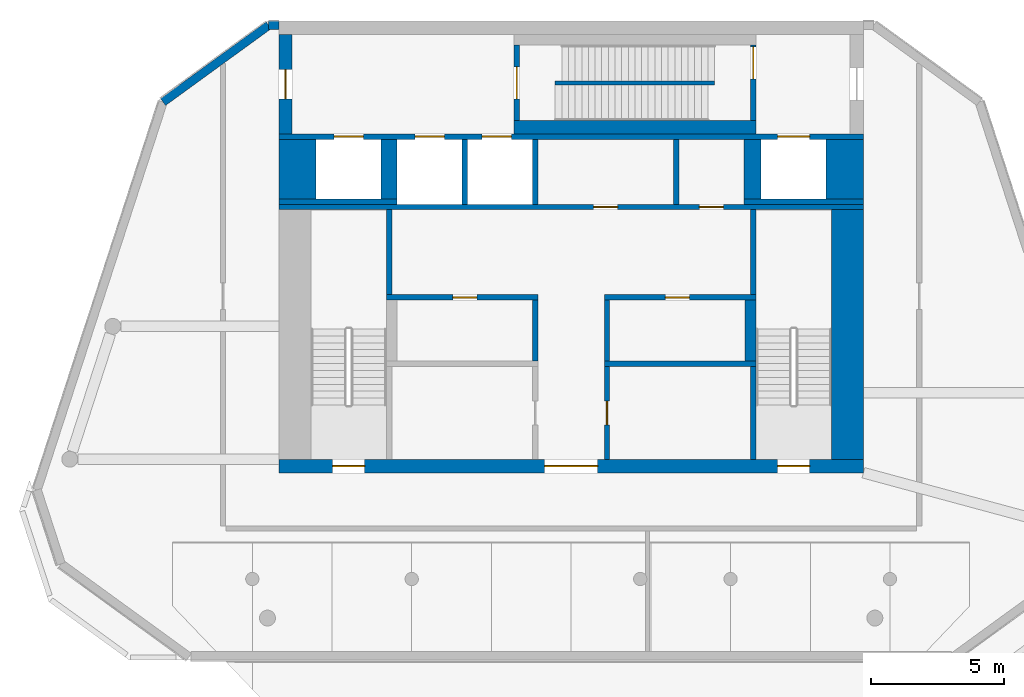
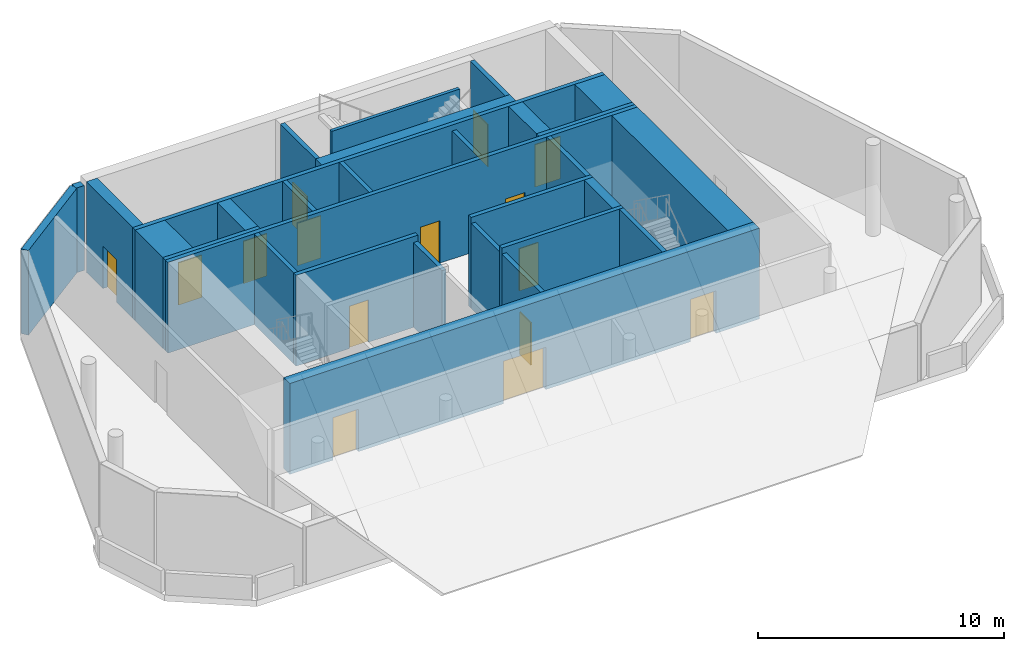
# One storey, part 2 of 6: 30 walls, 15 doors, 15 openings.
"""IFC4 building model written with IfcOpenShell, lengths in metres."""

from ifc_helpers import new_model, si_unit, direction, frame, frame_2d, origin, place, context, subcontext, project, spatial, rectangle, extrude, material, layer, layer_set, type_object, element, fill, save


model = new_model("IFC4")

# Units and contexts
model_context = context("Model", 3, precision=1e-05, world=origin(), true_north=direction((0.0, 1.0)))
body_context = subcontext(model_context, "Body", "Model", "MODEL_VIEW")
ifc_project = project(units=[si_unit("LENGTHUNIT", "METRE"), si_unit("AREAUNIT", "SQUARE_METRE"), si_unit("VOLUMEUNIT", "CUBIC_METRE"), si_unit("PLANEANGLEUNIT", "RADIAN"), si_unit("MASSUNIT", "GRAM", prefix="KILO")], contexts=[model_context])

# Site, building, storey
site_placement = place(None, origin())
site = spatial("IfcSite", under=ifc_project, at=site_placement, CompositionType="ELEMENT")
building_placement = place(site_placement, origin())
building = spatial("IfcBuilding", under=site, at=building_placement, Name="White Candle Pilgrim Tower", CompositionType="ELEMENT")
storey_placement = place(building_placement, frame((0.0, 0.0, 337.699951171875)))
storey = spatial("IfcBuildingStorey", under=building, at=storey_placement, Name="L79", CompositionType="ELEMENT", Elevation=337.699951171875)

# Walls
ifc_material_1 = material(Name="Concrete C40/50", Category="concrete")
ifc_layer_1 = layer(ifc_material_1, 1.39990234375)
ifc_layer_set_1 = layer_set([ifc_layer_1], Name="Core wall 1400 mm Concrete C40/50")
wall_type_1 = type_object("IfcWallType", Name="Core wall 1400 mm Concrete C40/50", PredefinedType="SHEAR", material=ifc_layer_set_1)
for number, where, z_axis, x_axis, name in (
    (1, (59.699951171875, 81.300048828125, 0.0), (0.0, 0.0, 1.0), (0.0, 1.0, 0.0), "WL-L79-C24"),
    (2, (80.300048828125, 81.300048828125, 0.0), (0.0, 0.0, 1.0), (0.0, 1.0, 0.0), "WL-L79-C27"),
):
    element("IfcWall", number, at=place(storey_placement, frame(where, z_axis=z_axis, x_axis=x_axis)), inside=storey, type_object=wall_type_1, Name=name, PredefinedType="SHEAR", context=body_context, shape_type="SweptSolid", body=[
        extrude(rectangle(XDim=2.25, YDim=1.39990234375, at=frame_2d((1.125, 0.0))), origin(), (0.0, 0.0, 1.0), 4.5),
    ])
ifc_layer_2 = layer(ifc_material_1, 0.199951171875)
ifc_layer_set_2 = layer_set([ifc_layer_2], Name="Core wall 200 mm Concrete C40/50")
wall_type_2 = type_object("IfcWallType", Name="Core wall 200 mm Concrete C40/50", PredefinedType="SHEAR", material=ifc_layer_set_2)
wall_1_placement = place(storey_placement, frame((59.0, 81.199951171875, 0.0), z_axis=(0.0, 0.0, 1.0), x_axis=(1.0, 0.0, 0.0)))
element("IfcWall", 3, at=wall_1_placement, inside=storey, type_object=wall_type_2, Name="WL-L79-C19", PredefinedType="SHEAR", context=body_context, shape_type="SweptSolid", body=[
    extrude(rectangle(XDim=4.449951171875, YDim=0.199951171875, at=frame_2d((2.22509765625, 0.0))), origin(), (0.0, 0.0, 1.0), 4.5),
])
wall_2_placement = place(storey_placement, frame((76.5, 81.199951171875, 0.0), z_axis=(0.0, 0.0, 1.0), x_axis=(1.0, 0.0, 0.0)))
element("IfcWall", 4, at=wall_2_placement, inside=storey, type_object=wall_type_2, Name="WL-L79-C23", PredefinedType="SHEAR", context=body_context, shape_type="SweptSolid", body=[
    extrude(rectangle(XDim=4.5, YDim=0.199951171875, at=frame_2d((2.25, 0.0))), origin(), (0.0, 0.0, 1.0), 4.5),
])

# Wall, openings, doors
wall_3_placement = place(storey_placement, frame((59.0, 83.64990234375, 0.0), z_axis=(0.0, 0.0, 1.0), x_axis=(1.0, 0.0, 0.0)))
wall_3 = element("IfcWall", 5, at=wall_3_placement, inside=storey, type_object=wall_type_2, Name="WL-L79-C28", PredefinedType="SHEAR", context=body_context, shape_type="SweptSolid", body=[
    extrude(rectangle(XDim=22.0, YDim=0.199951171875, at=frame_2d((11.0, 0.0))), origin(), (0.0, 0.0, 1.0), 4.5),
])
opening_1_placement = place(wall_3_placement, frame((5.125, 0.0, 0.0)))
opening_1 = element("IfcOpeningElement", 6, at=opening_1_placement, cuts=wall_3, Name="Opening L79-010", PredefinedType="OPENING", context=body_context, shape_type="SweptSolid", body=[
    extrude(rectangle(XDim=1.10009765625, YDim=2.10009765625, at=frame_2d((0.550048828125, 1.050048828125))), frame((0.0, 0.10986328125, 0.0), z_axis=(0.0, -1.0, 0.0), x_axis=(1.0, 0.0, 0.0)), (0.0, 0.0, 1.0), 0.219970703125),
])
opening_2_placement = place(wall_3_placement, frame((7.64990234375, 0.0, 0.0)))
opening_2 = element("IfcOpeningElement", 7, at=opening_2_placement, cuts=wall_3, Name="Opening L79-011", PredefinedType="OPENING", context=body_context, shape_type="SweptSolid", body=[
    extrude(rectangle(XDim=1.10009765625, YDim=2.10009765625, at=frame_2d((0.550048828125, 1.050048828125))), frame((0.0, 0.10986328125, 0.0), z_axis=(0.0, -1.0, 0.0), x_axis=(1.0, 0.0, 0.0)), (0.0, 0.0, 1.0), 0.219970703125),
])
opening_3_placement = place(wall_3_placement, frame((18.77490234375, 0.0, 0.0)))
opening_3 = element("IfcOpeningElement", 8, at=opening_3_placement, cuts=wall_3, Name="Opening L79-012", PredefinedType="OPENING", context=body_context, shape_type="SweptSolid", body=[
    extrude(rectangle(XDim=1.199951171875, YDim=2.10009765625, at=frame_2d((0.60009765625, 1.050048828125))), frame((0.0, 0.10986328125, 0.0), z_axis=(0.0, -1.0, 0.0), x_axis=(1.0, 0.0, 0.0)), (0.0, 0.0, 1.0), 0.219970703125),
])
opening_4_placement = place(wall_3_placement, frame((2.074951171875, 0.0, 0.0)))
opening_4 = element("IfcOpeningElement", 9, at=opening_4_placement, cuts=wall_3, Name="Opening L79-013", PredefinedType="OPENING", context=body_context, shape_type="SweptSolid", body=[
    extrude(rectangle(XDim=1.10009765625, YDim=2.10009765625, at=frame_2d((0.550048828125, 1.050048828125))), frame((0.0, 0.10986328125, 0.0), z_axis=(0.0, -1.0, 0.0), x_axis=(1.0, 0.0, 0.0)), (0.0, 0.0, 1.0), 0.219970703125),
])
ifc_material_2 = material(Name="Stainless steel", Category="steel")
door_type_1 = type_object("IfcDoorType", Name="Lift landing door 1100 x 2100 EI 60", OperationType="DOUBLE_DOOR_SLIDING", PredefinedType="DOOR", material=ifc_material_2)
door_1_placement = place(opening_1_placement, origin())
door_1 = element("IfcDoor", 10, at=door_1_placement, inside=storey, type_object=door_type_1, Name="Door L79-010", OperationType="DOUBLE_DOOR_SLIDING", OverallHeight=2.10009765625, OverallWidth=1.10009765625, PredefinedType="DOOR", context=body_context, shape_type="SweptSolid", body=[
    extrude(rectangle(XDim=1.10009765625, YDim=2.10009765625, at=frame_2d((0.550048828125, 1.050048828125))), frame((0.0, 0.02490234375, 0.0), z_axis=(0.0, -1.0, 0.0), x_axis=(1.0, 0.0, 0.0)), (0.0, 0.0, 1.0), 0.050048828125),
])
fill(opening_1, door_1)
door_2_placement = place(opening_2_placement, origin())
door_2 = element("IfcDoor", 11, at=door_2_placement, inside=storey, type_object=door_type_1, Name="Door L79-011", OperationType="DOUBLE_DOOR_SLIDING", OverallHeight=2.10009765625, OverallWidth=1.10009765625, PredefinedType="DOOR", context=body_context, shape_type="SweptSolid", body=[
    extrude(rectangle(XDim=1.10009765625, YDim=2.10009765625, at=frame_2d((0.550048828125, 1.050048828125))), frame((0.0, 0.02490234375, 0.0), z_axis=(0.0, -1.0, 0.0), x_axis=(1.0, 0.0, 0.0)), (0.0, 0.0, 1.0), 0.050048828125),
])
fill(opening_2, door_2)
door_3_placement = place(opening_4_placement, origin())
door_3 = element("IfcDoor", 12, at=door_3_placement, inside=storey, type_object=door_type_1, Name="Door L79-013", OperationType="DOUBLE_DOOR_SLIDING", OverallHeight=2.10009765625, OverallWidth=1.10009765625, PredefinedType="DOOR", context=body_context, shape_type="SweptSolid", body=[
    extrude(rectangle(XDim=1.10009765625, YDim=2.10009765625, at=frame_2d((0.550048828125, 1.050048828125))), frame((0.0, 0.02490234375, 0.0), z_axis=(0.0, -1.0, 0.0), x_axis=(1.0, 0.0, 0.0)), (0.0, 0.0, 1.0), 0.050048828125),
])
fill(opening_4, door_3)
door_type_2 = type_object("IfcDoorType", Name="Lift landing door 1200 x 2100 E 60", OperationType="DOUBLE_DOOR_SLIDING", PredefinedType="DOOR", material=ifc_material_2)
door_4_placement = place(opening_3_placement, origin())
door_4 = element("IfcDoor", 13, at=door_4_placement, inside=storey, type_object=door_type_2, Name="Door L79-012", OperationType="DOUBLE_DOOR_SLIDING", OverallHeight=2.10009765625, OverallWidth=1.199951171875, PredefinedType="DOOR", context=body_context, shape_type="SweptSolid", body=[
    extrude(rectangle(XDim=1.199951171875, YDim=2.10009765625, at=frame_2d((0.60009765625, 1.050048828125))), frame((0.0, 0.02490234375, 0.0), z_axis=(0.0, -1.0, 0.0), x_axis=(1.0, 0.0, 0.0)), (0.0, 0.0, 1.0), 0.050048828125),
])
fill(opening_3, door_4)

# Wall, opening, door
ifc_layer_3 = layer(ifc_material_1, 0.5)
ifc_layer_set_3 = layer_set([ifc_layer_3], Name="Core wall 500 mm Concrete C40/50")
wall_type_3 = type_object("IfcWallType", Name="Core wall 500 mm Concrete C40/50", PredefinedType="SHEAR", material=ifc_layer_set_3)
wall_4_placement = place(storey_placement, frame((59.25, 83.75, 0.0), z_axis=(0.0, 0.0, 1.0), x_axis=(0.0, 1.0, 0.0)))
wall_4 = element("IfcWall", 14, at=wall_4_placement, inside=storey, type_object=wall_type_3, Name="WL-L79-C29", PredefinedType="SHEAR", context=body_context, shape_type="SweptSolid", body=[
    extrude(rectangle(XDim=3.75, YDim=0.5, at=frame_2d((1.875, 0.0))), origin(), (0.0, 0.0, 1.0), 4.5),
])
opening_5_placement = place(wall_4_placement, frame((1.324951171875, 0.0, 0.0)))
opening_5 = element("IfcOpeningElement", 15, at=opening_5_placement, cuts=wall_4, Name="Opening L79-008", PredefinedType="OPENING", context=body_context, shape_type="SweptSolid", body=[
    extrude(rectangle(XDim=1.10009765625, YDim=2.10009765625, at=frame_2d((0.550048828125, 1.050048828125))), frame((0.0, 0.260009765625, 0.0), z_axis=(0.0, -1.0, 0.0), x_axis=(1.0, 0.0, 0.0)), (0.0, 0.0, 1.0), 0.52001953125),
])
ifc_material_3 = material(Name="Steel door leaf", Category="steel")
door_type_3 = type_object("IfcDoorType", Name="Fire door 1100 x 2100 EI 60", OperationType="NOTDEFINED", PredefinedType="DOOR", material=ifc_material_3)
door_5_placement = place(opening_5_placement, origin())
door_5 = element("IfcDoor", 16, at=door_5_placement, inside=storey, type_object=door_type_3, Name="Door L79-008", OperationType="SINGLE_SWING_RIGHT", OverallHeight=2.10009765625, OverallWidth=1.10009765625, PredefinedType="DOOR", context=body_context, shape_type="SweptSolid", body=[
    extrude(rectangle(XDim=1.10009765625, YDim=2.10009765625, at=frame_2d((0.550048828125, 1.050048828125))), frame((0.0, 0.02490234375, 0.0), z_axis=(0.0, -1.0, 0.0), x_axis=(1.0, 0.0, 0.0)), (0.0, 0.0, 1.0), 0.050048828125),
])
fill(opening_5, door_5)

# Walls
ifc_material_4 = material(Name="Precast concrete C40/50", Category="concrete")
ifc_layer_4 = layer(ifc_material_4, 0.320068359375)
ifc_layer_set_4 = layer_set([ifc_layer_4], Name="Facade wall EW4 precast concrete C40/50 crown wall with zinc cladding")
wall_type_4 = type_object("IfcWallType", Name="Facade wall EW4 precast concrete C40/50 crown wall with zinc cladding", PredefinedType="SOLIDWALL", material=ifc_layer_set_4)
wall_5_placement = place(storey_placement, frame((59.0, 87.840087890625, 0.0), z_axis=(0.0, 0.0, 1.0), x_axis=(-1.0, 0.0, 0.0)))
element("IfcWall", 17, at=wall_5_placement, inside=storey, type_object=wall_type_4, Name="Crown wall L79 N", PredefinedType="SOLIDWALL", context=body_context, shape_type="SweptSolid", body=[
    extrude(rectangle(XDim=0.385009765625, YDim=0.320068359375, at=frame_2d((0.1923828125, 0.0))), origin(), (0.0, 0.0, 1.0), 4.199951171875),
])
wall_6_placement = place(storey_placement, frame((58.614990234375, 87.840087890625, 0.0), z_axis=(0.0, 0.0, 1.0), x_axis=(-0.809008941667, -0.587796335735, 0.0)))
element("IfcWall", 18, at=wall_6_placement, inside=storey, type_object=wall_type_4, Name="Crown wall L79 NW chamfer", PredefinedType="SOLIDWALL", context=body_context, shape_type="SweptSolid", body=[
    extrude(rectangle(XDim=4.912353515625, YDim=0.320068359375, at=frame_2d((2.4560546875, 0.0))), origin(), (0.0, 0.0, 1.0), 4.199951171875),
])

# Wall, opening, door
ifc_material_5 = material(Name="Gypsum board on steel studs", Category="steel")
ifc_layer_5 = layer(ifc_material_5, 0.199951171875)
ifc_layer_set_5 = layer_set([ifc_layer_5], Name="Lobby wall 200 mm EI 60")
wall_type_5 = type_object("IfcWallType", Name="Lobby wall 200 mm EI 60", PredefinedType="PARTITIONING", material=ifc_layer_set_5)
wall_7_placement = place(storey_placement, frame((71.35009765625, 71.5, 0.0), z_axis=(0.0, 0.0, 1.0), x_axis=(0.0, 1.0, 0.0)))
wall_7 = element("IfcWall", 19, at=wall_7_placement, inside=storey, type_object=wall_type_5, Name="WL-L79-C05", PredefinedType="PARTITIONING", context=body_context, shape_type="SweptSolid", body=[
    extrude(rectangle(XDim=3.5, YDim=0.199951171875, at=frame_2d((1.75, 0.0))), origin(), (0.0, 0.0, 1.0), 4.199951171875),
])
opening_6_placement = place(wall_7_placement, frame((1.300048828125, 0.0, 0.0)))
opening_6 = element("IfcOpeningElement", 20, at=opening_6_placement, cuts=wall_7, Name="Opening L79-007", PredefinedType="OPENING", context=body_context, shape_type="SweptSolid", body=[
    extrude(rectangle(XDim=0.89990234375, YDim=2.10009765625, at=frame_2d((0.449951171875, 1.050048828125))), frame((0.0, 0.10986328125, 0.0), z_axis=(0.0, -1.0, 0.0), x_axis=(1.0, 0.0, 0.0)), (0.0, 0.0, 1.0), 0.219970703125),
])
door_type_4 = type_object("IfcDoorType", Name="Fire door 900 x 2100 EI 30", OperationType="NOTDEFINED", PredefinedType="DOOR", material=ifc_material_3)
door_6_placement = place(opening_6_placement, origin())
door_6 = element("IfcDoor", 21, at=door_6_placement, inside=storey, type_object=door_type_4, Name="Door L79-007", OperationType="SINGLE_SWING_LEFT", OverallHeight=2.10009765625, OverallWidth=0.89990234375, PredefinedType="DOOR", context=body_context, shape_type="SweptSolid", body=[
    extrude(rectangle(XDim=0.89990234375, YDim=2.10009765625, at=frame_2d((0.449951171875, 1.050048828125))), frame((0.0, 0.02490234375, 0.0), z_axis=(0.0, -1.0, 0.0), x_axis=(1.0, 0.0, 0.0)), (0.0, 0.0, 1.0), 0.050048828125),
])
fill(opening_6, door_6)

# Walls
for number, where, z_axis, x_axis, name in (
    (22, (68.64990234375, 75.199951171875, 0.0), (0.0, 0.0, 1.0), (0.0, 1.0, 0.0), "WL-L79-C11"),
    (23, (71.35009765625, 75.199951171875, 0.0), (0.0, 0.0, 1.0), (0.0, 1.0, 0.0), "WL-L79-C12"),
):
    element("IfcWall", number, at=place(storey_placement, frame(where, z_axis=z_axis, x_axis=x_axis)), inside=storey, type_object=wall_type_5, Name=name, PredefinedType="PARTITIONING", context=body_context, shape_type="SweptSolid", body=[
        extrude(rectangle(XDim=2.300048828125, YDim=0.199951171875, at=frame_2d((1.14990234375, 0.0))), origin(), (0.0, 0.0, 1.0), 4.199951171875),
    ])
wall_8_placement = place(storey_placement, frame((73.949951171875, 81.10009765625, 0.0), z_axis=(0.0, 0.0, 1.0), x_axis=(0.0, 1.0, 0.0)))
element("IfcWall", 24, at=wall_8_placement, inside=storey, type_object=wall_type_5, Name="WL-L79-C22", PredefinedType="PARTITIONING", context=body_context, shape_type="SweptSolid", body=[
    extrude(rectangle(XDim=2.449951171875, YDim=0.199951171875, at=frame_2d((1.22509765625, 0.0))), origin(), (0.0, 0.0, 1.0), 4.199951171875),
])
ifc_layer_6 = layer(ifc_material_1, 0.199951171875)
ifc_layer_set_6 = layer_set([ifc_layer_6], Name="Shaft wall 200 mm Concrete C40/50")
wall_type_6 = type_object("IfcWallType", Name="Shaft wall 200 mm Concrete C40/50", PredefinedType="SHEAR", material=ifc_layer_set_6)
for number, where, z_axis, x_axis, name in (
    (25, (66.0, 81.10009765625, 0.0), (0.0, 0.0, 1.0), (0.0, 1.0, 0.0), "WL-L79-C20"),
    (26, (68.64990234375, 81.10009765625, 0.0), (0.0, 0.0, 1.0), (0.0, 1.0, 0.0), "WL-L79-C21"),
):
    element("IfcWall", number, at=place(storey_placement, frame(where, z_axis=z_axis, x_axis=x_axis)), inside=storey, type_object=wall_type_6, Name=name, PredefinedType="SHEAR", context=body_context, shape_type="SweptSolid", body=[
        extrude(rectangle(XDim=2.449951171875, YDim=0.199951171875, at=frame_2d((1.22509765625, 0.0))), origin(), (0.0, 0.0, 1.0), 4.5),
    ])
ifc_layer_7 = layer(ifc_material_1, 0.60009765625)
ifc_layer_set_7 = layer_set([ifc_layer_7], Name="Shaft wall 600 mm Concrete C40/50")
wall_type_7 = type_object("IfcWallType", Name="Shaft wall 600 mm Concrete C40/50", PredefinedType="SHEAR", material=ifc_layer_set_7)
wall_9_placement = place(storey_placement, frame((63.14990234375, 81.300048828125, 0.0), z_axis=(0.0, 0.0, 1.0), x_axis=(0.0, 1.0, 0.0)))
element("IfcWall", 27, at=wall_9_placement, inside=storey, type_object=wall_type_7, Name="WL-L79-C25", PredefinedType="SHEAR", context=body_context, shape_type="SweptSolid", body=[
    extrude(rectangle(XDim=2.25, YDim=0.60009765625, at=frame_2d((1.125, 0.0))), origin(), (0.0, 0.0, 1.0), 4.5),
])
ifc_layer_8 = layer(ifc_material_1, 0.64990234375)
ifc_layer_set_8 = layer_set([ifc_layer_8], Name="Shaft wall 650 mm Concrete C40/50")
wall_type_8 = type_object("IfcWallType", Name="Shaft wall 650 mm Concrete C40/50", PredefinedType="SHEAR", material=ifc_layer_set_8)
wall_10_placement = place(storey_placement, frame((76.824951171875, 81.300048828125, 0.0), z_axis=(0.0, 0.0, 1.0), x_axis=(0.0, 1.0, 0.0)))
element("IfcWall", 28, at=wall_10_placement, inside=storey, type_object=wall_type_8, Name="WL-L79-C26", PredefinedType="SHEAR", context=body_context, shape_type="SweptSolid", body=[
    extrude(rectangle(XDim=2.25, YDim=0.64990234375, at=frame_2d((1.125, 0.0))), origin(), (0.0, 0.0, 1.0), 4.5),
])
ifc_layer_9 = layer(ifc_material_1, 1.199951171875)
ifc_layer_set_9 = layer_set([ifc_layer_9], Name="Stair shaft wall 1200 mm Concrete C40/50")
wall_type_9 = type_object("IfcWallType", Name="Stair shaft wall 1200 mm Concrete C40/50", PredefinedType="SHEAR", material=ifc_layer_set_9)
wall_11_placement = place(storey_placement, frame((80.39990234375, 71.5, 0.0), z_axis=(0.0, 0.0, 1.0), x_axis=(0.0, 1.0, 0.0)))
element("IfcWall", 29, at=wall_11_placement, inside=storey, type_object=wall_type_9, Name="WL-L79-C07", PredefinedType="SHEAR", context=body_context, shape_type="SweptSolid", body=[
    extrude(rectangle(XDim=9.39990234375, YDim=1.199951171875, at=frame_2d((4.699951171875, 0.0))), origin(), (0.0, 0.0, 1.0), 4.5),
])
ifc_layer_10 = layer(ifc_material_1, 0.14990234375)
ifc_layer_set_10 = layer_set([ifc_layer_10], Name="Stair shaft wall 150 mm Concrete C40/50")
wall_type_10 = type_object("IfcWallType", Name="Stair shaft wall 150 mm Concrete C40/50", PredefinedType="SHEAR", material=ifc_layer_set_10)
wall_12_placement = place(storey_placement, frame((69.39990234375, 85.675048828125, 0.0), z_axis=(0.0, 0.0, 1.0), x_axis=(1.0, 0.0, 0.0)))
element("IfcWall", 30, at=wall_12_placement, inside=storey, type_object=wall_type_10, Name="WL-L79-C34", PredefinedType="SHEAR", context=body_context, shape_type="SweptSolid", body=[
    extrude(rectangle(XDim=6.0, YDim=0.14990234375, at=frame_2d((3.0, 0.0))), origin(), (0.0, 0.0, 1.0), 4.5),
])
ifc_layer_11 = layer(ifc_material_1, 0.199951171875)
ifc_layer_set_11 = layer_set([ifc_layer_11], Name="Stair shaft wall 200 mm Concrete C40/50")
wall_type_11 = type_object("IfcWallType", Name="Stair shaft wall 200 mm Concrete C40/50", PredefinedType="SHEAR", material=ifc_layer_set_11)
wall_13_placement = place(storey_placement, frame((76.85009765625, 71.5, 0.0), z_axis=(0.0, 0.0, 1.0), x_axis=(0.0, 1.0, 0.0)))
element("IfcWall", 31, at=wall_13_placement, inside=storey, type_object=wall_type_11, Name="WL-L79-C06", PredefinedType="SHEAR", context=body_context, shape_type="SweptSolid", body=[
    extrude(rectangle(XDim=3.5, YDim=0.199951171875, at=frame_2d((1.75, 0.0))), origin(), (0.0, 0.0, 1.0), 4.5),
])
wall_14_placement = place(storey_placement, frame((71.25, 75.10009765625, 0.0), z_axis=(0.0, 0.0, 1.0), x_axis=(1.0, 0.0, 0.0)))
element("IfcWall", 32, at=wall_14_placement, inside=storey, type_object=wall_type_11, Name="WL-L79-C09", PredefinedType="SHEAR", context=body_context, shape_type="SweptSolid", body=[
    extrude(rectangle(XDim=5.699951171875, YDim=0.199951171875, at=frame_2d((2.85009765625, 0.0))), origin(), (0.0, 0.0, 1.0), 4.5),
])

# Wall, opening, door
wall_15_placement = place(storey_placement, frame((63.050048828125, 77.60009765625, 0.0), z_axis=(0.0, 0.0, 1.0), x_axis=(1.0, 0.0, 0.0)))
wall_15 = element("IfcWall", 33, at=wall_15_placement, inside=storey, type_object=wall_type_11, Name="WL-L79-C14", PredefinedType="SHEAR", context=body_context, shape_type="SweptSolid", body=[
    extrude(rectangle(XDim=5.699951171875, YDim=0.199951171875, at=frame_2d((2.85009765625, 0.0))), origin(), (0.0, 0.0, 1.0), 4.5),
])
opening_7_placement = place(wall_15_placement, frame((2.5, 0.0, 0.0)))
opening_7 = element("IfcOpeningElement", 34, at=opening_7_placement, cuts=wall_15, Name="Opening L79-014", PredefinedType="OPENING", context=body_context, shape_type="SweptSolid", body=[
    extrude(rectangle(XDim=0.89990234375, YDim=2.10009765625, at=frame_2d((0.449951171875, 1.050048828125))), frame((0.0, 0.10986328125, 0.0), z_axis=(0.0, -1.0, 0.0), x_axis=(1.0, 0.0, 0.0)), (0.0, 0.0, 1.0), 0.219970703125),
])
door_7_placement = place(opening_7_placement, origin())
door_7 = element("IfcDoor", 35, at=door_7_placement, inside=storey, type_object=door_type_4, Name="Door L79-014", OperationType="SINGLE_SWING_RIGHT", OverallHeight=2.10009765625, OverallWidth=0.89990234375, PredefinedType="DOOR", context=body_context, shape_type="SweptSolid", body=[
    extrude(rectangle(XDim=0.89990234375, YDim=2.10009765625, at=frame_2d((0.449951171875, 1.050048828125))), frame((0.0, 0.02490234375, 0.0), z_axis=(0.0, -1.0, 0.0), x_axis=(1.0, 0.0, 0.0)), (0.0, 0.0, 1.0), 0.050048828125),
])
fill(opening_7, door_7)

wall_16_placement = place(storey_placement, frame((71.25, 77.60009765625, 0.0), z_axis=(0.0, 0.0, 1.0), x_axis=(1.0, 0.0, 0.0)))
wall_16 = element("IfcWall", 36, at=wall_16_placement, inside=storey, type_object=wall_type_11, Name="WL-L79-C15", PredefinedType="SHEAR", context=body_context, shape_type="SweptSolid", body=[
    extrude(rectangle(XDim=5.699951171875, YDim=0.199951171875, at=frame_2d((2.85009765625, 0.0))), origin(), (0.0, 0.0, 1.0), 4.5),
])
opening_8_placement = place(wall_16_placement, frame((2.300048828125, 0.0, 0.0)))
opening_8 = element("IfcOpeningElement", 37, at=opening_8_placement, cuts=wall_16, Name="Opening L79-015", PredefinedType="OPENING", context=body_context, shape_type="SweptSolid", body=[
    extrude(rectangle(XDim=0.89990234375, YDim=2.10009765625, at=frame_2d((0.449951171875, 1.050048828125))), frame((0.0, 0.10986328125, 0.0), z_axis=(0.0, -1.0, 0.0), x_axis=(1.0, 0.0, 0.0)), (0.0, 0.0, 1.0), 0.219970703125),
])
door_8_placement = place(opening_8_placement, origin())
door_8 = element("IfcDoor", 38, at=door_8_placement, inside=storey, type_object=door_type_4, Name="Door L79-015", OperationType="SINGLE_SWING_LEFT", OverallHeight=2.10009765625, OverallWidth=0.89990234375, PredefinedType="DOOR", context=body_context, shape_type="SweptSolid", body=[
    extrude(rectangle(XDim=0.89990234375, YDim=2.10009765625, at=frame_2d((0.449951171875, 1.050048828125))), frame((0.0, 0.02490234375, 0.0), z_axis=(0.0, -1.0, 0.0), x_axis=(1.0, 0.0, 0.0)), (0.0, 0.0, 1.0), 0.050048828125),
])
fill(opening_8, door_8)

# Walls
for number, where, z_axis, x_axis, name in (
    (39, (63.14990234375, 77.699951171875, 0.0), (0.0, 0.0, 1.0), (0.0, 1.0, 0.0), "WL-L79-C16"),
    (40, (76.85009765625, 77.699951171875, 0.0), (0.0, 0.0, 1.0), (0.0, 1.0, 0.0), "WL-L79-C17"),
):
    element("IfcWall", number, at=place(storey_placement, frame(where, z_axis=z_axis, x_axis=x_axis)), inside=storey, type_object=wall_type_11, Name=name, PredefinedType="SHEAR", context=body_context, shape_type="SweptSolid", body=[
        extrude(rectangle(XDim=3.199951171875, YDim=0.199951171875, at=frame_2d((1.60009765625, 0.0))), origin(), (0.0, 0.0, 1.0), 4.5),
    ])

# Wall, openings, doors
wall_17_placement = place(storey_placement, frame((59.0, 81.0, 0.0), z_axis=(0.0, 0.0, 1.0), x_axis=(1.0, 0.0, 0.0)))
wall_17 = element("IfcWall", 41, at=wall_17_placement, inside=storey, type_object=wall_type_11, Name="WL-L79-C18", PredefinedType="SHEAR", context=body_context, shape_type="SweptSolid", body=[
    extrude(rectangle(XDim=22.0, YDim=0.199951171875, at=frame_2d((11.0, 0.0))), origin(), (0.0, 0.0, 1.0), 4.5),
])
opening_9_placement = place(wall_17_placement, frame((11.85009765625, 0.0, 0.0)))
opening_9 = element("IfcOpeningElement", 42, at=opening_9_placement, cuts=wall_17, Name="Opening L79-016", PredefinedType="OPENING", context=body_context, shape_type="SweptSolid", body=[
    extrude(rectangle(XDim=0.89990234375, YDim=2.10009765625, at=frame_2d((0.449951171875, 1.050048828125))), frame((0.0, 0.10986328125, 0.0), z_axis=(0.0, -1.0, 0.0), x_axis=(1.0, 0.0, 0.0)), (0.0, 0.0, 1.0), 0.219970703125),
])
opening_10_placement = place(wall_17_placement, frame((15.824951171875, 0.0, 0.0)))
opening_10 = element("IfcOpeningElement", 43, at=opening_10_placement, cuts=wall_17, Name="Opening L79-017", PredefinedType="OPENING", context=body_context, shape_type="SweptSolid", body=[
    extrude(rectangle(XDim=0.89990234375, YDim=2.10009765625, at=frame_2d((0.449951171875, 1.050048828125))), frame((0.0, 0.10986328125, 0.0), z_axis=(0.0, -1.0, 0.0), x_axis=(1.0, 0.0, 0.0)), (0.0, 0.0, 1.0), 0.219970703125),
])
door_9_placement = place(opening_9_placement, origin())
door_9 = element("IfcDoor", 44, at=door_9_placement, inside=storey, type_object=door_type_4, Name="Door L79-016", OperationType="SINGLE_SWING_RIGHT", OverallHeight=2.10009765625, OverallWidth=0.89990234375, PredefinedType="DOOR", context=body_context, shape_type="SweptSolid", body=[
    extrude(rectangle(XDim=0.89990234375, YDim=2.10009765625, at=frame_2d((0.449951171875, 1.050048828125))), frame((0.0, 0.02490234375, 0.0), z_axis=(0.0, -1.0, 0.0), x_axis=(1.0, 0.0, 0.0)), (0.0, 0.0, 1.0), 0.050048828125),
])
fill(opening_9, door_9)
door_10_placement = place(opening_10_placement, origin())
door_10 = element("IfcDoor", 45, at=door_10_placement, inside=storey, type_object=door_type_4, Name="Door L79-017", OperationType="SINGLE_SWING_LEFT", OverallHeight=2.10009765625, OverallWidth=0.89990234375, PredefinedType="DOOR", context=body_context, shape_type="SweptSolid", body=[
    extrude(rectangle(XDim=0.89990234375, YDim=2.10009765625, at=frame_2d((0.449951171875, 1.050048828125))), frame((0.0, 0.02490234375, 0.0), z_axis=(0.0, -1.0, 0.0), x_axis=(1.0, 0.0, 0.0)), (0.0, 0.0, 1.0), 0.050048828125),
])
fill(opening_10, door_10)

# Wall, opening, door
wall_18_placement = place(storey_placement, frame((67.949951171875, 84.25, 0.0), z_axis=(0.0, 0.0, 1.0), x_axis=(0.0, 1.0, 0.0)))
wall_18 = element("IfcWall", 46, at=wall_18_placement, inside=storey, type_object=wall_type_11, Name="WL-L79-C32", PredefinedType="SHEAR", context=body_context, shape_type="SweptSolid", body=[
    extrude(rectangle(XDim=2.85009765625, YDim=0.199951171875, at=frame_2d((1.425048828125, 0.0))), origin(), (0.0, 0.0, 1.0), 4.5),
])
opening_11_placement = place(wall_18_placement, frame((0.824951171875, 0.0, 0.0)))
opening_11 = element("IfcOpeningElement", 47, at=opening_11_placement, cuts=wall_18, Name="Opening L79-003", PredefinedType="OPENING", context=body_context, shape_type="SweptSolid", body=[
    extrude(rectangle(XDim=1.199951171875, YDim=2.10009765625, at=frame_2d((0.60009765625, 1.050048828125))), frame((0.0, 0.10986328125, 0.0), z_axis=(0.0, -1.0, 0.0), x_axis=(1.0, 0.0, 0.0)), (0.0, 0.0, 1.0), 0.219970703125),
])
door_type_5 = type_object("IfcDoorType", Name="Fire door 1200 x 2100 EI 60", OperationType="NOTDEFINED", PredefinedType="DOOR", material=ifc_material_3)
door_11_placement = place(opening_11_placement, frame((1.199951171875, 0.0, 0.0), z_axis=(0.0, 0.0, 1.0), x_axis=(-1.0, 0.0, 0.0)))
door_11 = element("IfcDoor", 48, at=door_11_placement, inside=storey, type_object=door_type_5, Name="Door L79-003", OperationType="SINGLE_SWING_RIGHT", OverallHeight=2.10009765625, OverallWidth=1.199951171875, PredefinedType="DOOR", context=body_context, shape_type="SweptSolid", body=[
    extrude(rectangle(XDim=1.199951171875, YDim=2.10009765625, at=frame_2d((0.60009765625, 1.050048828125))), frame((0.0, 0.02490234375, 0.0), z_axis=(0.0, -1.0, 0.0), x_axis=(1.0, 0.0, 0.0)), (0.0, 0.0, 1.0), 0.050048828125),
])
fill(opening_11, door_11)

wall_19_placement = place(storey_placement, frame((76.85009765625, 84.25, 0.0), z_axis=(0.0, 0.0, 1.0), x_axis=(0.0, 1.0, 0.0)))
wall_19 = element("IfcWall", 49, at=wall_19_placement, inside=storey, type_object=wall_type_11, Name="WL-L79-C33", PredefinedType="SHEAR", context=body_context, shape_type="SweptSolid", body=[
    extrude(rectangle(XDim=2.85009765625, YDim=0.199951171875, at=frame_2d((1.425048828125, 0.0))), origin(), (0.0, 0.0, 1.0), 4.5),
])
opening_12_placement = place(wall_19_placement, frame((1.574951171875, 0.0, 0.0)))
opening_12 = element("IfcOpeningElement", 50, at=opening_12_placement, cuts=wall_19, Name="Opening L79-004", PredefinedType="OPENING", context=body_context, shape_type="SweptSolid", body=[
    extrude(rectangle(XDim=1.199951171875, YDim=2.10009765625, at=frame_2d((0.60009765625, 1.050048828125))), frame((0.0, 0.10986328125, 0.0), z_axis=(0.0, -1.0, 0.0), x_axis=(1.0, 0.0, 0.0)), (0.0, 0.0, 1.0), 0.219970703125),
])
door_12_placement = place(opening_12_placement, origin())
door_12 = element("IfcDoor", 51, at=door_12_placement, inside=storey, type_object=door_type_5, Name="Door L79-004", OperationType="SINGLE_SWING_RIGHT", OverallHeight=2.10009765625, OverallWidth=1.199951171875, PredefinedType="DOOR", context=body_context, shape_type="SweptSolid", body=[
    extrude(rectangle(XDim=1.199951171875, YDim=2.10009765625, at=frame_2d((0.60009765625, 1.050048828125))), frame((0.0, 0.02490234375, 0.0), z_axis=(0.0, -1.0, 0.0), x_axis=(1.0, 0.0, 0.0)), (0.0, 0.0, 1.0), 0.050048828125),
])
fill(opening_12, door_12)

# Wall
ifc_layer_12 = layer(ifc_material_1, 0.39990234375)
ifc_layer_set_12 = layer_set([ifc_layer_12], Name="Stair shaft wall 400 mm Concrete C40/50")
wall_type_12 = type_object("IfcWallType", Name="Stair shaft wall 400 mm Concrete C40/50", PredefinedType="SHEAR", material=ifc_layer_set_12)
wall_20_placement = place(storey_placement, frame((76.75, 75.199951171875, 0.0), z_axis=(0.0, 0.0, 1.0), x_axis=(0.0, 1.0, 0.0)))
element("IfcWall", 52, at=wall_20_placement, inside=storey, type_object=wall_type_12, Name="WL-L79-C13", PredefinedType="SHEAR", context=body_context, shape_type="SweptSolid", body=[
    extrude(rectangle(XDim=2.300048828125, YDim=0.39990234375, at=frame_2d((1.14990234375, 0.0))), origin(), (0.0, 0.0, 1.0), 4.5),
])

# Wall, openings, doors
ifc_layer_13 = layer(ifc_material_1, 0.5)
ifc_layer_set_13 = layer_set([ifc_layer_13], Name="Stair shaft wall 500 mm Concrete C40/50")
wall_type_13 = type_object("IfcWallType", Name="Stair shaft wall 500 mm Concrete C40/50", PredefinedType="SHEAR", material=ifc_layer_set_13)
wall_21_placement = place(storey_placement, frame((59.0, 71.25, 0.0), z_axis=(0.0, 0.0, 1.0), x_axis=(1.0, 0.0, 0.0)))
wall_21 = element("IfcWall", 53, at=wall_21_placement, inside=storey, type_object=wall_type_13, Name="WL-L79-C01", PredefinedType="SHEAR", context=body_context, shape_type="SweptSolid", body=[
    extrude(rectangle(XDim=22.0, YDim=0.5, at=frame_2d((11.0, 0.0))), origin(), (0.0, 0.0, 1.0), 4.5),
])
opening_13_placement = place(wall_21_placement, frame((2.02490234375, 0.0, 0.0)))
opening_13 = element("IfcOpeningElement", 54, at=opening_13_placement, cuts=wall_21, Name="Opening L79-001", PredefinedType="OPENING", context=body_context, shape_type="SweptSolid", body=[
    extrude(rectangle(XDim=1.199951171875, YDim=2.10009765625, at=frame_2d((0.60009765625, 1.050048828125))), frame((0.0, 0.260009765625, 0.0), z_axis=(0.0, -1.0, 0.0), x_axis=(1.0, 0.0, 0.0)), (0.0, 0.0, 1.0), 0.52001953125),
])
opening_14_placement = place(wall_21_placement, frame((18.77490234375, 0.0, 0.0)))
opening_14 = element("IfcOpeningElement", 55, at=opening_14_placement, cuts=wall_21, Name="Opening L79-002", PredefinedType="OPENING", context=body_context, shape_type="SweptSolid", body=[
    extrude(rectangle(XDim=1.199951171875, YDim=2.10009765625, at=frame_2d((0.60009765625, 1.050048828125))), frame((0.0, 0.260009765625, 0.0), z_axis=(0.0, -1.0, 0.0), x_axis=(1.0, 0.0, 0.0)), (0.0, 0.0, 1.0), 0.52001953125),
])
opening_15_placement = place(wall_21_placement, frame((10.0, 0.0, 0.0)))
opening_15 = element("IfcOpeningElement", 56, at=opening_15_placement, cuts=wall_21, Name="Opening L79-005", PredefinedType="OPENING", context=body_context, shape_type="SweptSolid", body=[
    extrude(rectangle(XDim=2.0, YDim=2.10009765625, at=frame_2d((1.0, 1.050048828125))), frame((0.0, 0.260009765625, 0.0), z_axis=(0.0, -1.0, 0.0), x_axis=(1.0, 0.0, 0.0)), (0.0, 0.0, 1.0), 0.52001953125),
])
door_13_placement = place(opening_13_placement, frame((1.199951171875, 0.0, 0.0), z_axis=(0.0, 0.0, 1.0), x_axis=(-1.0, 0.0, 0.0)))
door_13 = element("IfcDoor", 57, at=door_13_placement, inside=storey, type_object=door_type_5, Name="Door L79-001", OperationType="SINGLE_SWING_RIGHT", OverallHeight=2.10009765625, OverallWidth=1.199951171875, PredefinedType="DOOR", context=body_context, shape_type="SweptSolid", body=[
    extrude(rectangle(XDim=1.199951171875, YDim=2.10009765625, at=frame_2d((0.60009765625, 1.050048828125))), frame((0.0, 0.02490234375, 0.0), z_axis=(0.0, -1.0, 0.0), x_axis=(1.0, 0.0, 0.0)), (0.0, 0.0, 1.0), 0.050048828125),
])
fill(opening_13, door_13)
door_14_placement = place(opening_14_placement, frame((1.199951171875, 0.0, 0.0), z_axis=(0.0, 0.0, 1.0), x_axis=(-1.0, 0.0, 0.0)))
door_14 = element("IfcDoor", 58, at=door_14_placement, inside=storey, type_object=door_type_5, Name="Door L79-002", OperationType="SINGLE_SWING_LEFT", OverallHeight=2.10009765625, OverallWidth=1.199951171875, PredefinedType="DOOR", context=body_context, shape_type="SweptSolid", body=[
    extrude(rectangle(XDim=1.199951171875, YDim=2.10009765625, at=frame_2d((0.60009765625, 1.050048828125))), frame((0.0, 0.02490234375, 0.0), z_axis=(0.0, -1.0, 0.0), x_axis=(1.0, 0.0, 0.0)), (0.0, 0.0, 1.0), 0.050048828125),
])
fill(opening_14, door_14)
door_type_6 = type_object("IfcDoorType", Name="Fire door 2000 x 2100 EI 60", OperationType="NOTDEFINED", PredefinedType="DOOR", material=ifc_material_3)
door_15_placement = place(opening_15_placement, frame((2.0, 0.0, 0.0), z_axis=(0.0, 0.0, 1.0), x_axis=(-1.0, 0.0, 0.0)))
door_15 = element("IfcDoor", 59, at=door_15_placement, inside=storey, type_object=door_type_6, Name="Door L79-005", OperationType="DOUBLE_DOOR_SINGLE_SWING", OverallHeight=2.10009765625, OverallWidth=2.0, PredefinedType="DOOR", context=body_context, shape_type="SweptSolid", body=[
    extrude(rectangle(XDim=2.0, YDim=2.10009765625, at=frame_2d((1.0, 1.050048828125))), frame((0.0, 0.02490234375, 0.0), z_axis=(0.0, -1.0, 0.0), x_axis=(1.0, 0.0, 0.0)), (0.0, 0.0, 1.0), 0.050048828125),
])
fill(opening_15, door_15)

# Wall
wall_22_placement = place(storey_placement, frame((67.85009765625, 84.0, 0.0), z_axis=(0.0, 0.0, 1.0), x_axis=(1.0, 0.0, 0.0)))
element("IfcWall", 60, at=wall_22_placement, inside=storey, type_object=wall_type_13, Name="WL-L79-C30", PredefinedType="SHEAR", context=body_context, shape_type="SweptSolid", body=[
    extrude(rectangle(XDim=9.099853515625, YDim=0.5, at=frame_2d((4.5498046875, 0.0))), origin(), (0.0, 0.0, 1.0), 4.5),
])

save(model, "model.ifc")
